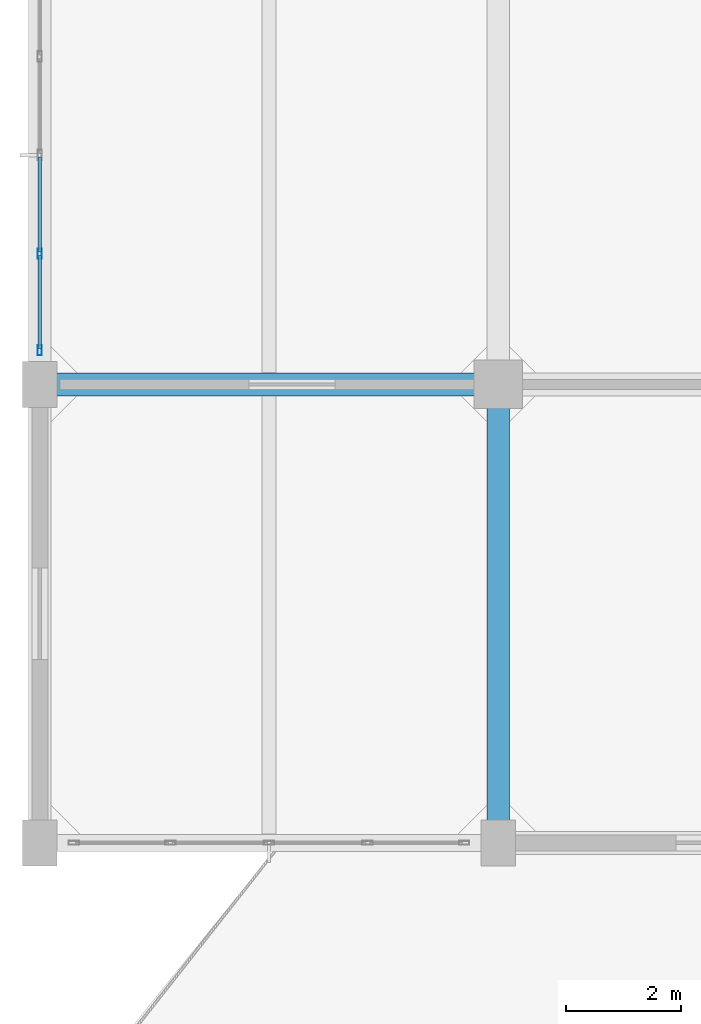
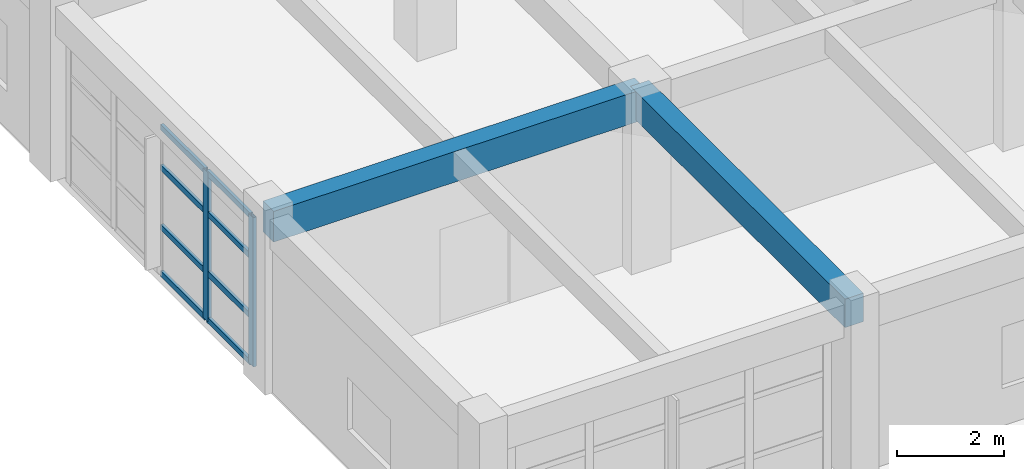
# One storey, part 4 of 30: 10 members, 2 beams, 1 element without a shape of its own.
"""IFC4 building model written with IfcOpenShell, lengths in metres."""

from ifc_helpers import new_model, si_unit, direction, frame, origin, origin_2d, place, context, subcontext, project, spatial, rectangle, hollow_rectangle, extrude, material, layer, layer_set, material_profile, profile_set, type_object, element, aggregate, save


model = new_model("IFC4")

# Units and contexts
model_context = context("Model", 3, precision=1e-05, world=origin(), true_north=direction((0.0, 1.0)))
body_context = subcontext(model_context, "Body", "Model", "MODEL_VIEW")
ifc_project = project(units=[si_unit("LENGTHUNIT", "METRE"), si_unit("AREAUNIT", "SQUARE_METRE"), si_unit("VOLUMEUNIT", "CUBIC_METRE"), si_unit("PLANEANGLEUNIT", "RADIAN"), si_unit("MASSUNIT", "GRAM", prefix="KILO")], contexts=[model_context])

# Site, building, storey
site_placement = place(None, origin())
site = spatial("IfcSite", under=ifc_project, at=site_placement, CompositionType="ELEMENT")
building_placement = place(site_placement, origin())
building = spatial("IfcBuilding", under=site, at=building_placement, Name="Canggui Botanical Conservatory", CompositionType="ELEMENT")
storey_placement = place(building_placement, frame((0.0, 0.0, 27.60009765625)))
storey = spatial("IfcBuildingStorey", under=building, at=storey_placement, Name="L07", CompositionType="ELEMENT", Elevation=27.60009765625)

# Beams
ifc_material_1 = material(Name="Concrete C35", Category="concrete")
ifc_material_profile_1 = material_profile(ifc_material_1, rectangle(XDim=0.39990234375, YDim=0.699951171875, at=origin_2d()), Name="RB 400x700")
ifc_profile_set_1 = profile_set([ifc_material_profile_1], Name="Concrete C35")
beam_type_1 = type_object("IfcBeamType", Name="BM-KL11", PredefinedType="BEAM", material=ifc_profile_set_1)
beam_1_placement = place(storey_placement, frame((138.0, 42.0, 3.60986328125), z_axis=(1.0, 0.0, 0.0), x_axis=(0.0, 1.0, 0.0)))
element("IfcBeam", 1, at=beam_1_placement, inside=storey, type_object=beam_type_1, Name="Frame Girder L07 Y42-1", PredefinedType="BEAM", context=body_context, shape_type="SweptSolid", body=[
    extrude(rectangle(XDim=0.39990234375, YDim=0.699951171875, at=origin_2d()), origin(), (0.0, 0.0, 1.0), 8.0),
])
ifc_material_profile_2 = material_profile(ifc_material_1, rectangle(XDim=0.39990234375, YDim=0.64990234375, at=origin_2d()), Name="RB 400x650")
ifc_profile_set_2 = profile_set([ifc_material_profile_2], Name="Concrete C35")
beam_type_2 = type_object("IfcBeamType", Name="BM-KL12", PredefinedType="BEAM", material=ifc_profile_set_2)
beam_2_placement = place(storey_placement, frame((146.0, 34.0, 3.635009765625), z_axis=(0.0, 1.0, 0.0), x_axis=(-1.0, 0.0, 0.0)))
element("IfcBeam", 2, at=beam_2_placement, inside=storey, type_object=beam_type_2, Name="Frame Girder L07 X146-1", PredefinedType="BEAM", context=body_context, shape_type="SweptSolid", body=[
    extrude(rectangle(XDim=0.39990234375, YDim=0.64990234375, at=origin_2d()), origin(), (0.0, 0.0, 1.0), 8.0),
])

# Curtain wall, members
ifc_material_2 = material(Name="Thermally Broken Aluminium", Category="aluminium")
ifc_layer = layer(ifc_material_2, 0.179931640625, Name="Thermally Broken Aluminium", Category="aluminium")
ifc_layer_set = layer_set([ifc_layer], Name="Thermally Broken Aluminium")
curtain_wall_type = type_object("IfcCurtainWallType", Name="CW-UNIT-A", PredefinedType="USERDEFINED", material=ifc_layer_set)
curtain_wall_placement = place(storey_placement, origin())
curtain_wall = element("IfcCurtainWall", 3, at=curtain_wall_placement, inside=storey, type_object=curtain_wall_type, Name="Facade Curtain Wall CW-TWR-L07-07", ObjectType="UNITISED CURTAIN WALL", PredefinedType="USERDEFINED")
ifc_material_profile_3 = material_profile(ifc_material_2, hollow_rectangle(XDim=0.070068359375, YDim=0.179931640625, WallThickness=0.00390625, at=origin_2d()), Name="CWM 70x180x4")
ifc_profile_set_3 = profile_set([ifc_material_profile_3], Name="Thermally Broken Aluminium")
member_type_1 = type_object("IfcMemberType", Name="CWM-01", PredefinedType="MULLION", material=ifc_profile_set_3)
member_1_placement = place(storey_placement, frame((138.0, 42.594970703125, 0.0), z_axis=(0.0, 0.0, 1.0), x_axis=(-1.0, 0.0, 0.0)))
member_1 = element("IfcMember", 4, at=member_1_placement, type_object=member_type_1, Name="CW-01 mullion 1", PredefinedType="MULLION", context=body_context, shape_type="SweptSolid", body=[
    extrude(hollow_rectangle(XDim=0.070068359375, YDim=0.179931640625, WallThickness=0.00390625, at=origin_2d()), origin(), (0.0, 0.0, 1.0), 3.39990234375),
])
member_2_placement = place(storey_placement, frame((138.0, 44.280029296875, 0.0), z_axis=(0.0, 0.0, 1.0), x_axis=(-1.0, 0.0, 0.0)))
member_2 = element("IfcMember", 5, at=member_2_placement, type_object=member_type_1, Name="CW-01 mullion 2", PredefinedType="MULLION", context=body_context, shape_type="SweptSolid", body=[
    extrude(hollow_rectangle(XDim=0.070068359375, YDim=0.179931640625, WallThickness=0.00390625, at=origin_2d()), origin(), (0.0, 0.0, 1.0), 3.39990234375),
])
ifc_material_profile_4 = material_profile(ifc_material_2, hollow_rectangle(XDim=0.06494140625, YDim=0.1298828125, WallThickness=0.00341796875, at=origin_2d()), Name="CWT 65x130x3.5")
ifc_profile_set_4 = profile_set([ifc_material_profile_4], Name="Thermally Broken Aluminium")
member_type_2 = type_object("IfcMemberType", Name="CWT-01", PredefinedType="USERDEFINED", material=ifc_profile_set_4)
member_3_placement = place(storey_placement, frame((138.0, 42.6298828125, 0.032470703125), z_axis=(0.0, 1.0, 0.0), x_axis=(-1.0, 0.0, 0.0)))
member_3 = element("IfcMember", 6, at=member_3_placement, type_object=member_type_2, Name="CW-01 transom 1.1", ObjectType="TRANSOM", PredefinedType="USERDEFINED", context=body_context, shape_type="SweptSolid", body=[
    extrude(hollow_rectangle(XDim=0.06494140625, YDim=0.1298828125, WallThickness=0.00341796875, at=origin_2d()), origin(), (0.0, 0.0, 1.0), 1.615234375),
])
member_4_placement = place(storey_placement, frame((138.0, 42.6298828125, 1.087890625), z_axis=(0.0, 1.0, 0.0), x_axis=(-1.0, 0.0, 0.0)))
member_4 = element("IfcMember", 7, at=member_4_placement, type_object=member_type_2, Name="CW-01 transom 1.2", ObjectType="TRANSOM", PredefinedType="USERDEFINED", context=body_context, shape_type="SweptSolid", body=[
    extrude(hollow_rectangle(XDim=0.06494140625, YDim=0.1298828125, WallThickness=0.00341796875, at=origin_2d()), origin(), (0.0, 0.0, 1.0), 1.615234375),
])
member_5_placement = place(storey_placement, frame((138.0, 42.6298828125, 2.447998046875), z_axis=(0.0, 1.0, 0.0), x_axis=(-1.0, 0.0, 0.0)))
member_5 = element("IfcMember", 8, at=member_5_placement, type_object=member_type_2, Name="CW-01 transom 1.3", ObjectType="TRANSOM", PredefinedType="USERDEFINED", context=body_context, shape_type="SweptSolid", body=[
    extrude(hollow_rectangle(XDim=0.06494140625, YDim=0.1298828125, WallThickness=0.00341796875, at=origin_2d()), origin(), (0.0, 0.0, 1.0), 1.615234375),
])
member_6_placement = place(storey_placement, frame((138.0, 42.6298828125, 3.367431640625), z_axis=(0.0, 1.0, 0.0), x_axis=(-1.0, 0.0, 0.0)))
member_6 = element("IfcMember", 9, at=member_6_placement, type_object=member_type_2, Name="CW-01 transom 1.4", ObjectType="TRANSOM", PredefinedType="USERDEFINED", context=body_context, shape_type="SweptSolid", body=[
    extrude(hollow_rectangle(XDim=0.06494140625, YDim=0.1298828125, WallThickness=0.00341796875, at=origin_2d()), origin(), (0.0, 0.0, 1.0), 1.615234375),
])
member_7_placement = place(storey_placement, frame((138.0, 44.31494140625, 0.032470703125), z_axis=(0.0, 1.0, 0.0), x_axis=(-1.0, 0.0, 0.0)))
member_7 = element("IfcMember", 10, at=member_7_placement, type_object=member_type_2, Name="CW-01 transom 2.1", ObjectType="TRANSOM", PredefinedType="USERDEFINED", context=body_context, shape_type="SweptSolid", body=[
    extrude(hollow_rectangle(XDim=0.06494140625, YDim=0.1298828125, WallThickness=0.00341796875, at=origin_2d()), origin(), (0.0, 0.0, 1.0), 1.650146484375),
])
member_8_placement = place(storey_placement, frame((138.0, 44.31494140625, 1.087890625), z_axis=(0.0, 1.0, 0.0), x_axis=(-1.0, 0.0, 0.0)))
member_8 = element("IfcMember", 11, at=member_8_placement, type_object=member_type_2, Name="CW-01 transom 2.2", ObjectType="TRANSOM", PredefinedType="USERDEFINED", context=body_context, shape_type="SweptSolid", body=[
    extrude(hollow_rectangle(XDim=0.06494140625, YDim=0.1298828125, WallThickness=0.00341796875, at=origin_2d()), origin(), (0.0, 0.0, 1.0), 1.650146484375),
])
member_9_placement = place(storey_placement, frame((138.0, 44.31494140625, 2.447998046875), z_axis=(0.0, 1.0, 0.0), x_axis=(-1.0, 0.0, 0.0)))
member_9 = element("IfcMember", 12, at=member_9_placement, type_object=member_type_2, Name="CW-01 transom 2.3", ObjectType="TRANSOM", PredefinedType="USERDEFINED", context=body_context, shape_type="SweptSolid", body=[
    extrude(hollow_rectangle(XDim=0.06494140625, YDim=0.1298828125, WallThickness=0.00341796875, at=origin_2d()), origin(), (0.0, 0.0, 1.0), 1.650146484375),
])
member_10_placement = place(storey_placement, frame((138.0, 44.31494140625, 3.367431640625), z_axis=(0.0, 1.0, 0.0), x_axis=(-1.0, 0.0, 0.0)))
member_10 = element("IfcMember", 13, at=member_10_placement, type_object=member_type_2, Name="CW-01 transom 2.4", ObjectType="TRANSOM", PredefinedType="USERDEFINED", context=body_context, shape_type="SweptSolid", body=[
    extrude(hollow_rectangle(XDim=0.06494140625, YDim=0.1298828125, WallThickness=0.00341796875, at=origin_2d()), origin(), (0.0, 0.0, 1.0), 1.650146484375),
])
aggregate(curtain_wall, [member_1, member_2, member_3, member_4, member_5, member_6, member_7, member_8, member_9, member_10])

save(model, "model.ifc")
